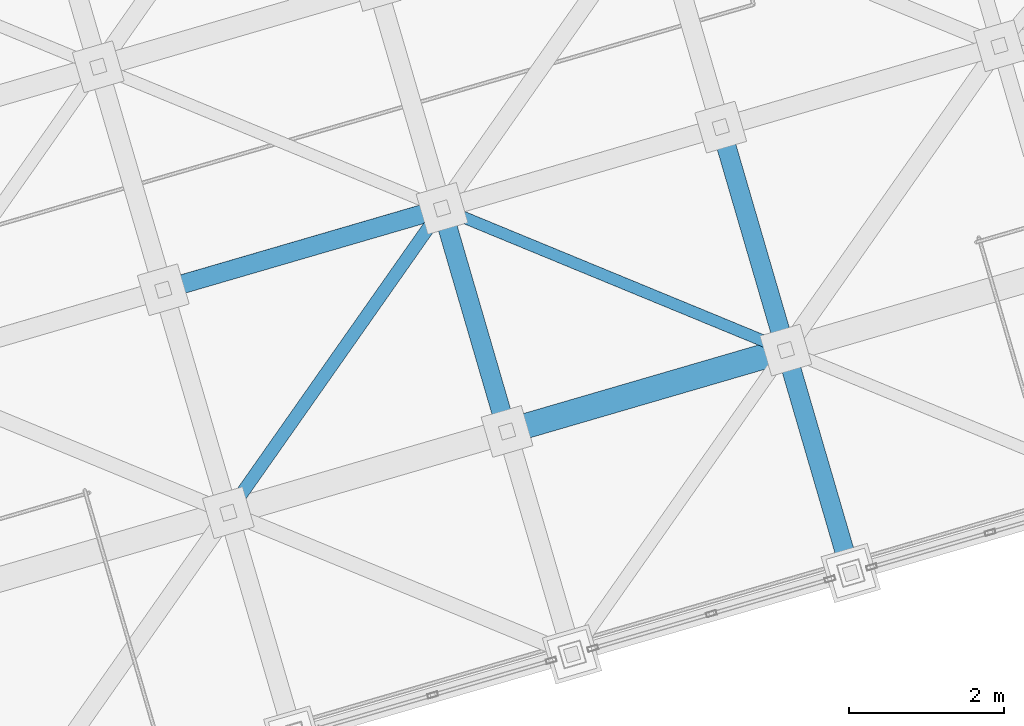
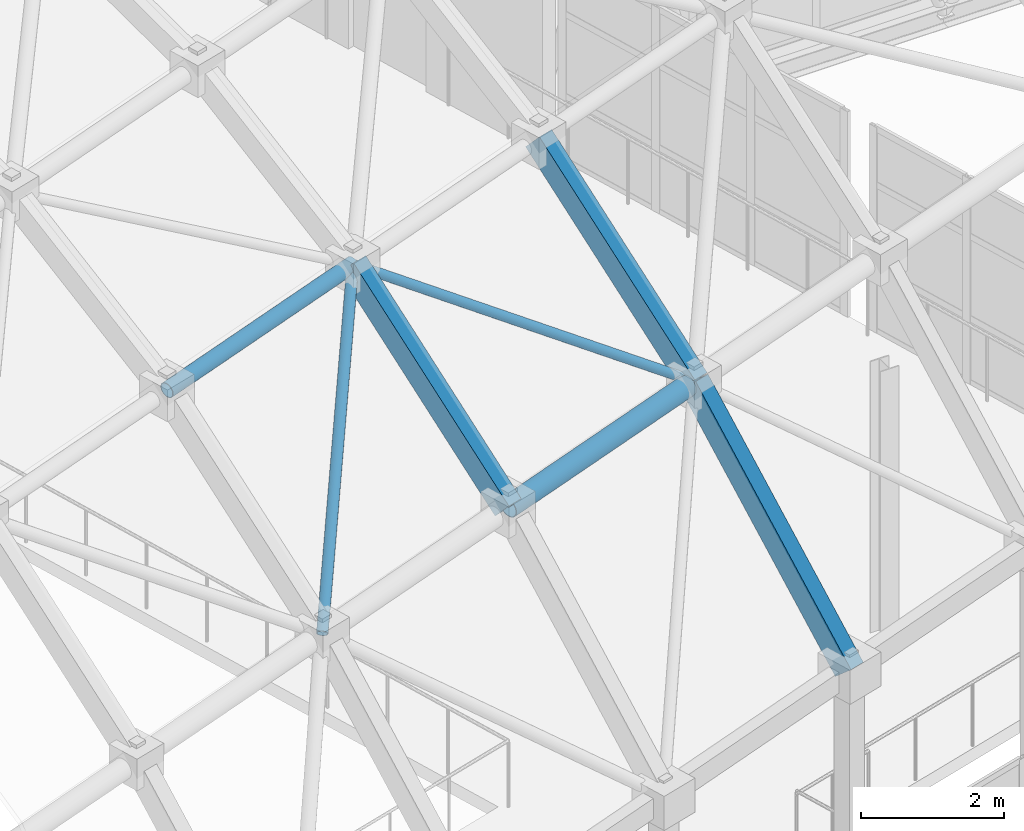
# One storey, part 66 of 248: 4 members, 3 beams.
"""IFC4 building model written with IfcOpenShell, lengths in metres."""

from ifc_helpers import new_model, si_unit, direction, frame, origin, origin_2d, place, context, subcontext, project, spatial, hollow_rectangle, hollow_circle, extrude, material, material_profile, profile_set, type_object, element, save


model = new_model("IFC4")

# Units and contexts
model_context = context("Model", 3, precision=1e-05, world=origin(), true_north=direction((0.0, 1.0)))
body_context = subcontext(model_context, "Body", "Model", "MODEL_VIEW")
ifc_project = project(units=[si_unit("LENGTHUNIT", "METRE"), si_unit("AREAUNIT", "SQUARE_METRE"), si_unit("VOLUMEUNIT", "CUBIC_METRE"), si_unit("PLANEANGLEUNIT", "RADIAN"), si_unit("MASSUNIT", "GRAM", prefix="KILO")], contexts=[model_context])

# Site, building, storey
site_placement = place(None, origin())
site = spatial("IfcSite", under=ifc_project, at=site_placement, CompositionType="ELEMENT")
building_placement = place(site_placement, origin())
building = spatial("IfcBuilding", under=site, at=building_placement, Name="Canggui Botanical Conservatory", CompositionType="ELEMENT")
storey_placement = place(building_placement, frame((0.0, 0.0, 5.39990234375)))
storey = spatial("IfcBuildingStorey", under=building, at=storey_placement, Name="L02", CompositionType="ELEMENT", Elevation=5.39990234375)

# Beams
ifc_material = material(Name="Steel Q355C", Category="steel")
ifc_material_profile_1 = material_profile(ifc_material, hollow_rectangle(XDim=0.25, YDim=0.39990234375, WallThickness=0.013916015625, at=origin_2d()), Name="RHS 250x400x14")
ifc_profile_set_1 = profile_set([ifc_material_profile_1], Name="Steel Q355C")
beam_type = type_object("IfcBeamType", Name="BM-GJ03", PredefinedType="BEAM", material=ifc_profile_set_1)
beam_1_placement = place(storey_placement, frame((55.159912109375, 55.3798828125, 9.55615234375), z_axis=(-0.208495222194, 0.715005272157, 0.667305929173), x_axis=(-0.960017315421, -0.279940626011, 0.0)))
element("IfcBeam", 1, at=beam_1_placement, inside=storey, type_object=beam_type, Name="Conservatory Stepped-Arch Rib GJ-11 Segment 2", PredefinedType="BEAM", context=body_context, shape_type="SweptSolid", body=[
    extrude(hollow_rectangle(XDim=0.25, YDim=0.39990234375, WallThickness=0.013916015625, at=origin_2d()), origin(), (0.0, 0.0, 1.0), 4.028076171875),
])
beam_2_placement = place(storey_placement, frame((59.60009765625, 53.550048828125, 6.35009765625), z_axis=(-0.183568061506, 0.629284758361, 0.755184387874), x_axis=(-0.959989061447, -0.280037500885, 0.0)))
element("IfcBeam", 2, at=beam_2_placement, inside=storey, type_object=beam_type, Name="Conservatory Stepped-Arch Rib GJ-12 Segment 1", PredefinedType="BEAM", context=body_context, shape_type="SweptSolid", body=[
    extrude(hollow_rectangle(XDim=0.25, YDim=0.39990234375, WallThickness=0.013916015625, at=origin_2d()), origin(), (0.0, 0.0, 1.0), 4.576416015625),
])
beam_3_placement = place(storey_placement, frame((58.760009765625, 56.429931640625, 9.80615234375), z_axis=(-0.208553195479, 0.714996235706, 0.66729749556), x_axis=(-0.959995442804, -0.2800156242, 0.0)))
element("IfcBeam", 3, at=beam_3_placement, inside=storey, type_object=beam_type, Name="Conservatory Stepped-Arch Rib GJ-12 Segment 2", PredefinedType="BEAM", context=body_context, shape_type="SweptSolid", body=[
    extrude(hollow_rectangle(XDim=0.25, YDim=0.39990234375, WallThickness=0.013916015625, at=origin_2d()), origin(), (0.0, 0.0, 1.0), 4.028076171875),
])

# Members
ifc_material_profile_2 = material_profile(ifc_material, hollow_circle(Radius=0.16259765625, WallThickness=0.011962890625, at=origin_2d()), Name="CHS 325x12")
ifc_profile_set_2 = profile_set([ifc_material_profile_2], Name="Steel Q355C")
member_type_1 = type_object("IfcMemberType", Name="MEM-GSC01", PredefinedType="CHORD", material=ifc_profile_set_2)
member_1_placement = place(storey_placement, frame((55.159912109375, 55.3798828125, 9.55615234375), z_axis=(0.957872417874, 0.27938486839, 0.066517113516), x_axis=(-0.280004999853, 0.959998541695, 0.0)))
element("IfcMember", 4, at=member_1_placement, inside=storey, type_object=member_type_1, Name="Conservatory Gridshell Longitudinal Chord 11-1", PredefinedType="CHORD", context=body_context, shape_type="SweptSolid", body=[
    extrude(hollow_circle(Radius=0.16259765625, WallThickness=0.011962890625, at=origin_2d()), origin(), (0.0, 0.0, 1.0), 3.758544921875),
])
ifc_material_profile_3 = material_profile(ifc_material, hollow_circle(Radius=0.12255859375, WallThickness=0.010009765625, at=origin_2d()), Name="CHS 245x10")
ifc_profile_set_3 = profile_set([ifc_material_profile_3], Name="Steel Q355C")
member_type_2 = type_object("IfcMemberType", Name="MEM-GSC04", PredefinedType="CHORD", material=ifc_profile_set_3)
member_2_placement = place(storey_placement, frame((50.719970703125, 57.2099609375, 11.994140625), z_axis=(0.957872417874, 0.27938486839, 0.066517113516), x_axis=(-0.280004999853, 0.959998541695, 0.0)))
element("IfcMember", 5, at=member_2_placement, inside=storey, type_object=member_type_2, Name="Conservatory Gridshell Longitudinal Chord 10-2", PredefinedType="CHORD", context=body_context, shape_type="SweptSolid", body=[
    extrude(hollow_circle(Radius=0.12255859375, WallThickness=0.010009765625, at=origin_2d()), origin(), (0.0, 0.0, 1.0), 3.758544921875),
])
ifc_material_profile_4 = material_profile(ifc_material, hollow_circle(Radius=0.083984375, WallThickness=0.008056640625, at=origin_2d()), Name="CHS 168x8")
ifc_profile_set_4 = profile_set([ifc_material_profile_4], Name="Steel Q355C")
member_type_3 = type_object("IfcMemberType", Name="MEM-GSD03", PredefinedType="RAFTER", material=ifc_profile_set_4)
member_3_placement = place(storey_placement, frame((51.56005859375, 54.330078125, 9.30615234375), z_axis=(0.49025667873, 0.698068266918, 0.521870753811), x_axis=(-0.818344854073, 0.574727500484, 0.0)))
element("IfcMember", 6, at=member_3_placement, inside=storey, type_object=member_type_3, Name="Conservatory Gridshell Diagrid Rafter 10-2", PredefinedType="RAFTER", context=body_context, shape_type="SweptSolid", body=[
    extrude(hollow_circle(Radius=0.083984375, WallThickness=0.008056640625, at=origin_2d()), origin(), (0.0, 0.0, 1.0), 5.629638671875),
])
ifc_material_profile_5 = material_profile(ifc_material, hollow_circle(Radius=0.075927734375, WallThickness=0.006103515625, at=origin_2d()), Name="CHS 152x6")
ifc_profile_set_5 = profile_set([ifc_material_profile_5], Name="Steel Q355C")
member_type_4 = type_object("IfcMemberType", Name="MEM-GSD04", PredefinedType="RAFTER", material=ifc_profile_set_5)
member_4_placement = place(storey_placement, frame((54.320068359375, 58.260009765625, 12.244140625), z_axis=(0.824390397512, -0.339801518737, -0.452675822586), x_axis=(0.381082183428, 0.924541166998, 0.0)))
element("IfcMember", 7, at=member_4_placement, inside=storey, type_object=member_type_4, Name="Conservatory Gridshell Diagrid Rafter 11-2", PredefinedType="RAFTER", context=body_context, shape_type="SweptSolid", body=[
    extrude(hollow_circle(Radius=0.075927734375, WallThickness=0.006103515625, at=origin_2d()), origin(), (0.0, 0.0, 1.0), 5.3857421875),
])

save(model, "model.ifc")
